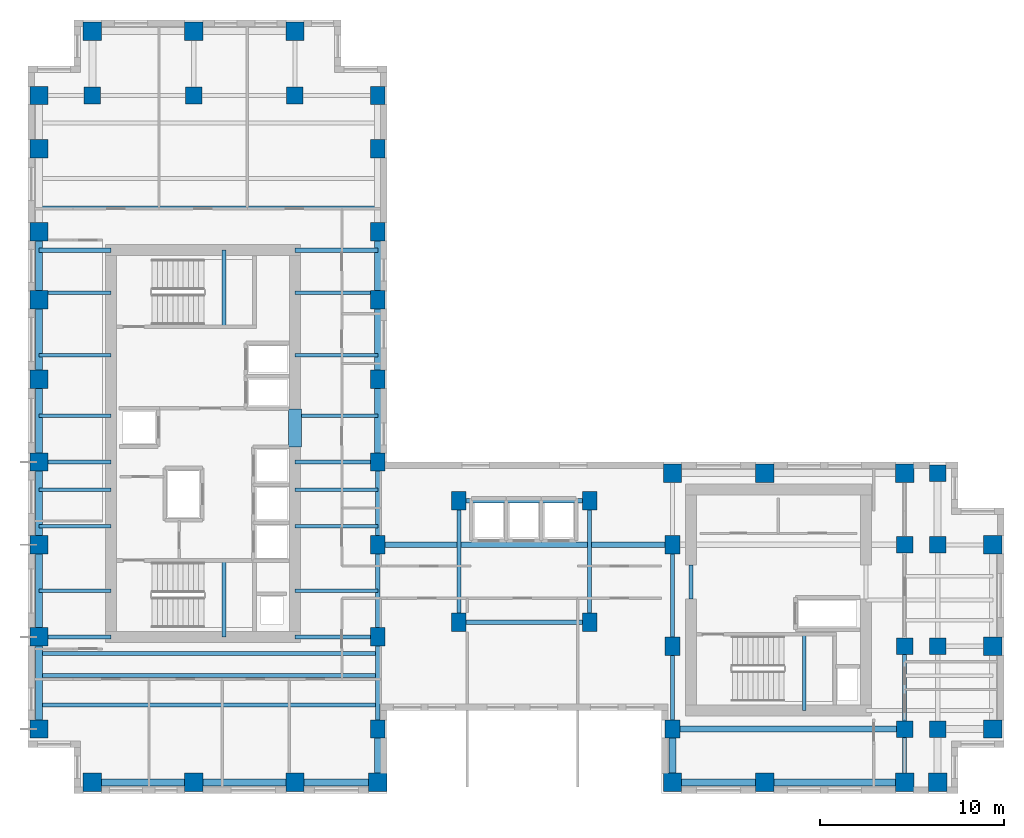
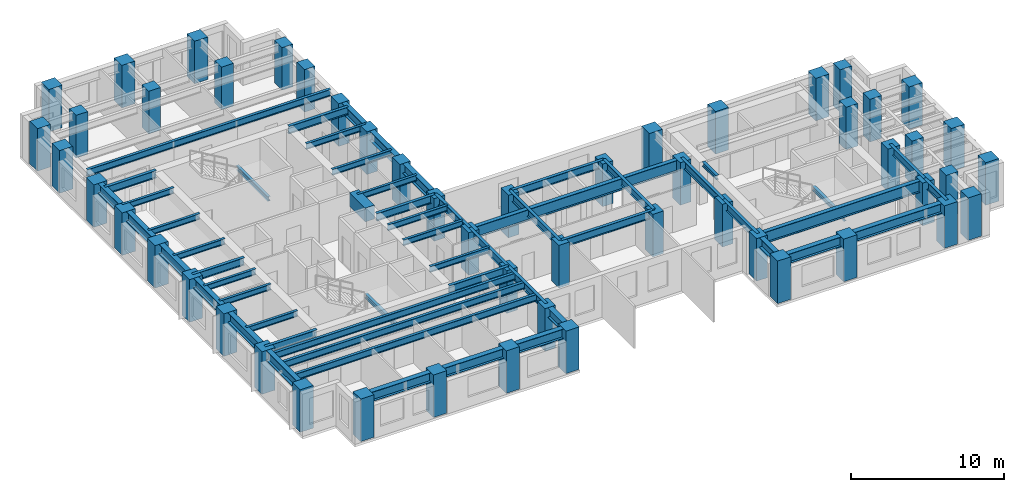
# One storey, part 1 of 11: 56 beams, 52 columns.
"""IFC4 building model written with IfcOpenShell, lengths in metres."""

from ifc_helpers import new_model, si_unit, direction, frame, origin, origin_2d, place, context, subcontext, project, spatial, rectangle, i_section, extrude, source, transform, mapped, material, material_profile, profile_set, type_object, element, save


model = new_model("IFC4")

# Units and contexts
model_context = context("Model", 3, precision=1e-05, world=origin(), true_north=direction((0.0, 1.0)))
body_context = subcontext(model_context, "Body", "Model", "MODEL_VIEW")
ifc_project = project(units=[si_unit("LENGTHUNIT", "METRE"), si_unit("AREAUNIT", "SQUARE_METRE"), si_unit("VOLUMEUNIT", "CUBIC_METRE"), si_unit("PLANEANGLEUNIT", "RADIAN"), si_unit("MASSUNIT", "GRAM", prefix="KILO")], contexts=[model_context])

# Site, building, storey
site_placement = place(None, origin())
site = spatial("IfcSite", under=ifc_project, at=site_placement, CompositionType="ELEMENT")
building_placement = place(site_placement, origin())
building = spatial("IfcBuilding", under=site, at=building_placement, Name="Kharzan Plaza Tower", CompositionType="ELEMENT")
storey_placement = place(building_placement, frame((0.0, 0.0, 150.300048828125)))
storey = spatial("IfcBuildingStorey", under=building, at=storey_placement, Name="L40", CompositionType="ELEMENT", Elevation=150.300048828125)

# Columns
ifc_material_1 = material(Name="Concrete C50/60", Category="concrete")
ifc_material_profile_1 = material_profile(ifc_material_1, rectangle(XDim=0.89990234375, YDim=0.89990234375, at=origin_2d()), Name="RC-IC900x900")
ifc_profile_set_1 = profile_set([ifc_material_profile_1], Name="Concrete C50/60")
column_type_1 = type_object("IfcColumnType", Name="COL-IC900", PredefinedType="COLUMN", material=ifc_profile_set_1)
shared_shape_1 = source(origin(), body_context, "Body", "SweptSolid", [
    extrude(rectangle(XDim=0.89990234375, YDim=0.89990234375, at=origin_2d()), origin(), (0.0, 0.0, 1.0), 3.39990234375),
])
for number, where, z_axis, x_axis, name in (
    (1, (47.60009765625, 13.5, 0.0), (0.0, 0.0, 1.0), (1.0, 0.0, 0.0), "L40 Structural Column TCBI-135"),
    (2, (47.60009765625, 3.5, 0.0), (0.0, 0.0, 1.0), (1.0, 0.0, 0.0), "L40 Structural Column TCBI-35"),
    (3, (47.60009765625, 8.0, 0.0), (0.0, 0.0, 1.0), (1.0, 0.0, 0.0), "L40 Structural Column TCBI-80"),
    (4, (49.39990234375, 13.5, 0.0), (0.0, 0.0, 1.0), (1.0, 0.0, 0.0), "L40 Structural Column TCE-494-135"),
    (5, (49.39990234375, 17.39990234375, 0.0), (0.0, 0.0, 1.0), (1.0, 0.0, 0.0), "L40 Structural Column TCE-494-174"),
    (6, (49.39990234375, 3.5, 0.0), (0.0, 0.0, 1.0), (1.0, 0.0, 0.0), "L40 Structural Column TCE-494-35"),
    (7, (49.39990234375, 8.0, 0.0), (0.0, 0.0, 1.0), (1.0, 0.0, 0.0), "L40 Structural Column TCE-494-80"),
    (8, (14.5, 37.89990234375, 0.0), (0.0, 0.0, 1.0), (1.0, 0.0, 0.0), "L40 Structural Column TCN-145-379"),
    (9, (3.5, 37.89990234375, 0.0), (0.0, 0.0, 1.0), (1.0, 0.0, 0.0), "L40 Structural Column TCN-35-379"),
    (10, (9.0, 37.89990234375, 0.0), (0.0, 0.0, 1.0), (1.0, 0.0, 0.0), "L40 Structural Column TCN-90-379"),
):
    element("IfcColumn", number, at=place(storey_placement, frame(where, z_axis=z_axis, x_axis=x_axis)), inside=storey, type_object=column_type_1, Name=name, PredefinedType="COLUMN", context=body_context, shape_type="MappedRepresentation", body=[
        mapped(shared_shape_1, transform((0.0, 0.0, 0.0), x_axis=(1.0, 0.0, 0.0), y_axis=(0.0, 1.0, 0.0), z_axis=(0.0, 0.0, 1.0))),
    ])
ifc_material_profile_2 = material_profile(ifc_material_1, rectangle(XDim=0.800048828125, YDim=1.0, at=origin_2d()), Name="RC-SC1000x800")
ifc_profile_set_2 = profile_set([ifc_material_profile_2], Name="Concrete C50/60")
column_type_2 = type_object("IfcColumnType", Name="COL-SC1000", PredefinedType="COLUMN", material=ifc_profile_set_2)
shared_shape_2 = source(origin(), body_context, "Body", "SweptSolid", [
    extrude(rectangle(XDim=0.800048828125, YDim=1.0, at=origin_2d()), origin(), (0.0, 0.0, 1.0), 3.39990234375),
])
for number, where, z_axis, x_axis, name in (
    (11, (19.0, 13.5, 0.0), (0.0, 0.0, 1.0), (1.0, 0.0, 0.0), "L40 Structural Column TCA-135"),
    (12, (19.0, 18.0, 0.0), (0.0, 0.0, 1.0), (1.0, 0.0, 0.0), "L40 Structural Column TCA-180"),
    (13, (19.0, 22.5, 0.0), (0.0, 0.0, 1.0), (1.0, 0.0, 0.0), "L40 Structural Column TCA-225"),
    (14, (19.0, 26.800048828125, 0.0), (0.0, 0.0, 1.0), (1.0, 0.0, 0.0), "L40 Structural Column TCA-268"),
    (15, (19.0, 30.5, 0.0), (0.0, 0.0, 1.0), (1.0, 0.0, 0.0), "L40 Structural Column TCA-305"),
    (16, (19.0, 3.5, 0.0), (0.0, 0.0, 1.0), (1.0, 0.0, 0.0), "L40 Structural Column TCA-35"),
    (17, (19.0, 35.0, 0.0), (0.0, 0.0, 1.0), (1.0, 0.0, 0.0), "L40 Structural Column TCA-350"),
    (18, (19.0, 37.89990234375, 0.0), (0.0, 0.0, 1.0), (1.0, 0.0, 0.0), "L40 Structural Column TCA-379"),
    (19, (19.0, 8.5, 0.0), (0.0, 0.0, 1.0), (1.0, 0.0, 0.0), "L40 Structural Column TCA-85"),
    (20, (35.0, 13.5, 0.0), (0.0, 0.0, 1.0), (1.0, 0.0, 0.0), "L40 Structural Column TCBS-135"),
    (21, (35.0, 3.5, 0.0), (0.0, 0.0, 1.0), (1.0, 0.0, 0.0), "L40 Structural Column TCBS-35"),
    (22, (35.0, 8.0, 0.0), (0.0, 0.0, 1.0), (1.0, 0.0, 0.0), "L40 Structural Column TCBS-80"),
    (23, (23.39990234375, 15.89990234375, 0.0), (0.0, 0.0, 1.0), (1.0, 0.0, 0.0), "L40 Structural Column TCSP-234-159"),
    (24, (23.39990234375, 9.300048828125, 0.0), (0.0, 0.0, 1.0), (1.0, 0.0, 0.0), "L40 Structural Column TCSP-234-93"),
    (25, (30.5, 15.89990234375, 0.0), (0.0, 0.0, 1.0), (1.0, 0.0, 0.0), "L40 Structural Column TCSP-305-159"),
    (26, (30.5, 9.300048828125, 0.0), (0.0, 0.0, 1.0), (1.0, 0.0, 0.0), "L40 Structural Column TCSP-305-93"),
):
    element("IfcColumn", number, at=place(storey_placement, frame(where, z_axis=z_axis, x_axis=x_axis)), inside=storey, type_object=column_type_2, Name=name, PredefinedType="COLUMN", context=body_context, shape_type="MappedRepresentation", body=[
        mapped(shared_shape_2, transform((0.0, 0.0, 0.0), x_axis=(1.0, 0.0, 0.0), y_axis=(0.0, 1.0, 0.0), z_axis=(0.0, 0.0, 1.0))),
    ])
ifc_material_profile_3 = material_profile(ifc_material_1, rectangle(XDim=1.0, YDim=1.0, at=origin_2d()), Name="RC-TC1000x1000")
ifc_profile_set_3 = profile_set([ifc_material_profile_3], Name="Concrete C50/60")
column_type_3 = type_object("IfcColumnType", Name="COL-TC1000", PredefinedType="COLUMN", material=ifc_profile_set_3)
shared_shape_3 = source(origin(), body_context, "Body", "SweptSolid", [
    extrude(rectangle(XDim=1.0, YDim=1.0, at=origin_2d()), origin(), (0.0, 0.0, 1.0), 3.39990234375),
])
for number, where, z_axis, x_axis, name in (
    (27, (35.0, 17.39990234375, 0.0), (0.0, 0.0, 1.0), (1.0, 0.0, 0.0), "L40 Structural Column TCBN-350-174"),
    (28, (40.0, 17.39990234375, 0.0), (0.0, 0.0, 1.0), (1.0, 0.0, 0.0), "L40 Structural Column TCBN-400-174"),
    (29, (47.60009765625, 17.39990234375, 0.0), (0.0, 0.0, 1.0), (1.0, 0.0, 0.0), "L40 Structural Column TCBN-476-174"),
    (30, (52.39990234375, 13.5, 0.0), (0.0, 0.0, 1.0), (1.0, 0.0, 0.0), "L40 Structural Column TCE-524-135"),
    (31, (52.39990234375, 3.5, 0.0), (0.0, 0.0, 1.0), (1.0, 0.0, 0.0), "L40 Structural Column TCE-524-35"),
    (32, (52.39990234375, 8.0, 0.0), (0.0, 0.0, 1.0), (1.0, 0.0, 0.0), "L40 Structural Column TCE-524-80"),
    (33, (14.5, 41.39990234375, 0.0), (0.0, 0.0, 1.0), (1.0, 0.0, 0.0), "L40 Structural Column TCN-145-414"),
    (34, (3.5, 41.39990234375, 0.0), (0.0, 0.0, 1.0), (1.0, 0.0, 0.0), "L40 Structural Column TCN-35-414"),
    (35, (9.0, 41.39990234375, 0.0), (0.0, 0.0, 1.0), (1.0, 0.0, 0.0), "L40 Structural Column TCN-90-414"),
    (36, (14.5, 0.60009765625, 0.0), (0.0, 0.0, 1.0), (1.0, 0.0, 0.0), "L40 Structural Column TCS-145"),
    (37, (19.0, 0.60009765625, 0.0), (0.0, 0.0, 1.0), (1.0, 0.0, 0.0), "L40 Structural Column TCS-190"),
    (38, (3.5, 0.60009765625, 0.0), (0.0, 0.0, 1.0), (1.0, 0.0, 0.0), "L40 Structural Column TCS-35"),
    (39, (35.0, 0.60009765625, 0.0), (0.0, 0.0, 1.0), (1.0, 0.0, 0.0), "L40 Structural Column TCS-350"),
    (40, (40.0, 0.60009765625, 0.0), (0.0, 0.0, 1.0), (1.0, 0.0, 0.0), "L40 Structural Column TCS-400"),
    (41, (47.60009765625, 0.60009765625, 0.0), (0.0, 0.0, 1.0), (1.0, 0.0, 0.0), "L40 Structural Column TCS-476"),
    (42, (49.39990234375, 0.60009765625, 0.0), (0.0, 0.0, 1.0), (1.0, 0.0, 0.0), "L40 Structural Column TCS-494"),
    (43, (9.0, 0.60009765625, 0.0), (0.0, 0.0, 1.0), (1.0, 0.0, 0.0), "L40 Structural Column TCS-90"),
    (44, (0.60009765625, 13.5, 0.0), (0.0, 0.0, 1.0), (1.0, 0.0, 0.0), "L40 Structural Column TCW-135"),
    (45, (0.60009765625, 18.0, 0.0), (0.0, 0.0, 1.0), (1.0, 0.0, 0.0), "L40 Structural Column TCW-180"),
    (46, (0.60009765625, 22.5, 0.0), (0.0, 0.0, 1.0), (1.0, 0.0, 0.0), "L40 Structural Column TCW-225"),
    (47, (0.60009765625, 26.800048828125, 0.0), (0.0, 0.0, 1.0), (1.0, 0.0, 0.0), "L40 Structural Column TCW-268"),
    (48, (0.60009765625, 30.5, 0.0), (0.0, 0.0, 1.0), (1.0, 0.0, 0.0), "L40 Structural Column TCW-305"),
    (49, (0.60009765625, 3.5, 0.0), (0.0, 0.0, 1.0), (1.0, 0.0, 0.0), "L40 Structural Column TCW-35"),
    (50, (0.60009765625, 35.0, 0.0), (0.0, 0.0, 1.0), (1.0, 0.0, 0.0), "L40 Structural Column TCW-350"),
    (51, (0.60009765625, 37.89990234375, 0.0), (0.0, 0.0, 1.0), (1.0, 0.0, 0.0), "L40 Structural Column TCW-379"),
    (52, (0.60009765625, 8.5, 0.0), (0.0, 0.0, 1.0), (1.0, 0.0, 0.0), "L40 Structural Column TCW-85"),
):
    element("IfcColumn", number, at=place(storey_placement, frame(where, z_axis=z_axis, x_axis=x_axis)), inside=storey, type_object=column_type_3, Name=name, PredefinedType="COLUMN", context=body_context, shape_type="MappedRepresentation", body=[
        mapped(shared_shape_3, transform((0.0, 0.0, 0.0), x_axis=(1.0, 0.0, 0.0), y_axis=(0.0, 1.0, 0.0), z_axis=(0.0, 0.0, 1.0))),
    ])

# Beams
ifc_material_2 = material(Name="Concrete C60/75", Category="concrete")
ifc_material_profile_4 = material_profile(ifc_material_2, rectangle(XDim=0.699951171875, YDim=1.10009765625, at=origin_2d()), Name="RC-CB1100x700")
ifc_profile_set_4 = profile_set([ifc_material_profile_4], Name="Concrete C60/75")
beam_type_1 = type_object("IfcBeamType", Name="BM-RCCB1100", PredefinedType="LINTEL", material=ifc_profile_set_4)
shared_shape_4 = source(origin(), body_context, "Body", "SweptSolid", [
    extrude(rectangle(XDim=0.699951171875, YDim=1.10009765625, at=origin_2d()), origin(), (0.0, 0.0, 1.0), 2.059814453125),
])
beam_1_placement = place(storey_placement, frame((14.5, 18.820068359375, 2.849853515625), z_axis=(0.0, 1.0, 0.0), x_axis=(-1.0, 0.0, 0.0)))
element("IfcBeam", 53, at=beam_1_placement, inside=storey, type_object=beam_type_1, Name="L40 CORE-A RC coupling beam CB1", PredefinedType="LINTEL", context=body_context, shape_type="MappedRepresentation", body=[
    mapped(shared_shape_4, transform((0.0, 0.0, 0.0), x_axis=(1.0, 0.0, 0.0), y_axis=(0.0, 1.0, 0.0), z_axis=(0.0, 0.0, 1.0))),
])
ifc_material_3 = material(Name="Steel S355", Category="steel")
ifc_material_profile_5 = material_profile(ifc_material_3, i_section(OverallWidth=0.205078125, OverallDepth=0.35400390625, WebThickness=0.009521484375, FlangeThickness=0.016845703125, at=origin_2d()), Name="W360x79")
ifc_profile_set_5 = profile_set([ifc_material_profile_5], Name="Steel S355")
beam_type_2 = type_object("IfcBeamType", Name="BM-LNT360", PredefinedType="LINTEL", material=ifc_profile_set_5)
shared_shape_5 = source(origin(), body_context, "Body", "SweptSolid", [
    extrude(i_section(OverallWidth=0.205078125, OverallDepth=0.35400390625, WebThickness=0.009521484375, FlangeThickness=0.016845703125, at=origin_2d()), origin(), (0.0, 0.0, 1.0), 1.849853515625),
])
beam_2_placement = place(storey_placement, frame((36.0, 10.550048828125, 3.222900390625), z_axis=(0.0, 1.0, 0.0), x_axis=(-1.0, 0.0, 0.0)))
element("IfcBeam", 54, at=beam_2_placement, inside=storey, type_object=beam_type_2, Name="L40 CORE-B coupling lintel LN1-WW", PredefinedType="LINTEL", context=body_context, shape_type="MappedRepresentation", body=[
    mapped(shared_shape_5, transform((0.0, 0.0, 0.0), x_axis=(1.0, 0.0, 0.0), y_axis=(0.0, 1.0, 0.0), z_axis=(0.0, 0.0, 1.0))),
])
shared_shape_6 = source(origin(), body_context, "Body", "SweptSolid", [
    extrude(i_section(OverallWidth=0.205078125, OverallDepth=0.35400390625, WebThickness=0.009521484375, FlangeThickness=0.016845703125, at=origin_2d()), origin(), (0.0, 0.0, 1.0), 4.155029296875),
])
for number, where, z_axis, x_axis, name in (
    (55, (10.64990234375, 8.5, 1.4228515625), (0.0, 1.0, 0.0), (-1.0, 0.0, 0.0), "L40 Stair ST-1 Half-Landing Beam"),
    (56, (10.64990234375, 25.344970703125, 1.4228515625), (0.0, 1.0, 0.0), (-1.0, 0.0, 0.0), "L40 Stair ST-2 Half-Landing Beam"),
    (57, (42.14990234375, 4.5, 1.4228515625), (0.0, 1.0, 0.0), (-1.0, 0.0, 0.0), "L40 Stair ST-3 Half-Landing Beam"),
):
    element("IfcBeam", number, at=place(storey_placement, frame(where, z_axis=z_axis, x_axis=x_axis)), inside=storey, type_object=beam_type_2, Name=name, PredefinedType="LINTEL", context=body_context, shape_type="MappedRepresentation", body=[
        mapped(shared_shape_6, transform((0.0, 0.0, 0.0), x_axis=(1.0, 0.0, 0.0), y_axis=(0.0, 1.0, 0.0), z_axis=(0.0, 0.0, 1.0))),
    ])
ifc_material_profile_6 = material_profile(ifc_material_3, i_section(OverallWidth=0.304931640625, OverallDepth=0.9189453125, WebThickness=0.017333984375, FlangeThickness=0.02783203125, at=origin_2d()), Name="W920x253")
ifc_profile_set_6 = profile_set([ifc_material_profile_6], Name="Steel S355")
beam_type_3 = type_object("IfcBeamType", Name="BM-FG920B", PredefinedType="BEAM", material=ifc_profile_set_6)
shared_shape_7 = source(origin(), body_context, "Body", "SweptSolid", [
    extrude(i_section(OverallWidth=0.304931640625, OverallDepth=0.9189453125, WebThickness=0.017333984375, FlangeThickness=0.02783203125, at=origin_2d()), origin(), (0.0, 0.0, 1.0), 12.60009765625),
])
beam_3_placement = place(storey_placement, frame((35.0, 3.5, 2.9404296875), z_axis=(1.0, 0.0, 0.0), x_axis=(0.0, 1.0, 0.0)))
element("IfcBeam", 58, at=beam_3_placement, inside=storey, type_object=beam_type_3, Name="L40 Primary Floor Girder", PredefinedType="BEAM", context=body_context, shape_type="MappedRepresentation", body=[
    mapped(shared_shape_7, transform((0.0, 0.0, 0.0), x_axis=(1.0, 0.0, 0.0), y_axis=(0.0, 1.0, 0.0), z_axis=(0.0, 0.0, 1.0))),
])
shared_shape_8 = source(origin(), body_context, "Body", "SweptSolid", [
    extrude(i_section(OverallWidth=0.304931640625, OverallDepth=0.9189453125, WebThickness=0.017333984375, FlangeThickness=0.02783203125, at=origin_2d()), origin(), (0.0, 0.0, 1.0), 16.0),
])
beam_4_placement = place(storey_placement, frame((19.0, 13.5, 2.9404296875), z_axis=(1.0, 0.0, 0.0), x_axis=(0.0, 1.0, 0.0)))
element("IfcBeam", 59, at=beam_4_placement, inside=storey, type_object=beam_type_3, Name="L40 Primary Floor Girder", PredefinedType="BEAM", context=body_context, shape_type="MappedRepresentation", body=[
    mapped(shared_shape_8, transform((0.0, 0.0, 0.0), x_axis=(1.0, 0.0, 0.0), y_axis=(0.0, 1.0, 0.0), z_axis=(0.0, 0.0, 1.0))),
])
ifc_material_profile_7 = material_profile(ifc_material_3, i_section(OverallWidth=0.2099609375, OverallDepth=0.537109375, WebThickness=0.010986328125, FlangeThickness=0.017333984375, at=origin_2d()), Name="W530x101")
ifc_profile_set_7 = profile_set([ifc_material_profile_7], Name="Steel S355")
beam_type_4 = type_object("IfcBeamType", Name="BM-JST530B", PredefinedType="JOIST", material=ifc_profile_set_7)
shared_shape_9 = source(origin(), body_context, "Body", "SweptSolid", [
    extrude(i_section(OverallWidth=0.2099609375, OverallDepth=0.537109375, WebThickness=0.010986328125, FlangeThickness=0.017333984375, at=origin_2d()), origin(), (0.0, 0.0, 1.0), 18.39990234375),
])
for number, where, z_axis, x_axis, name in (
    (60, (0.60009765625, 4.800048828125, 3.13134765625), (1.0, 0.0, 0.0), (0.0, 1.0, 0.0), "L40 Wing A Composite Joist 01"),
    (61, (0.60009765625, 6.39990234375, 3.13134765625), (1.0, 0.0, 0.0), (0.0, 1.0, 0.0), "L40 Wing A Composite Joist 02"),
    (62, (0.60009765625, 7.60009765625, 3.13134765625), (1.0, 0.0, 0.0), (0.0, 1.0, 0.0), "L40 Wing A Composite Joist 03"),
    (63, (0.60009765625, 31.800048828125, 3.13134765625), (1.0, 0.0, 0.0), (0.0, 1.0, 0.0), "L40 Wing A Composite Joist 04"),
):
    element("IfcBeam", number, at=place(storey_placement, frame(where, z_axis=z_axis, x_axis=x_axis)), inside=storey, type_object=beam_type_4, Name=name, PredefinedType="JOIST", context=body_context, shape_type="MappedRepresentation", body=[
        mapped(shared_shape_9, transform((0.0, 0.0, 0.0), x_axis=(1.0, 0.0, 0.0), y_axis=(0.0, 1.0, 0.0), z_axis=(0.0, 0.0, 1.0))),
    ])
ifc_material_profile_8 = material_profile(ifc_material_3, i_section(OverallWidth=0.194091796875, OverallDepth=0.468994140625, WebThickness=0.011474609375, FlangeThickness=0.0205078125, at=origin_2d()), Name="W460x106")
ifc_profile_set_8 = profile_set([ifc_material_profile_8], Name="Steel S355")
beam_type_5 = type_object("IfcBeamType", Name="BM-JST460", PredefinedType="JOIST", material=ifc_profile_set_8)
shared_shape_10 = source(origin(), body_context, "Body", "SweptSolid", [
    extrude(i_section(OverallWidth=0.194091796875, OverallDepth=0.468994140625, WebThickness=0.011474609375, FlangeThickness=0.0205078125, at=origin_2d()), origin(), (0.0, 0.0, 1.0), 4.5),
])
for number, where, z_axis, x_axis, name in (
    (64, (14.5, 11.0, 3.16552734375), (1.0, 0.0, 0.0), (0.0, 1.0, 0.0), "L40 Wing A East Infill Joist 1"),
    (65, (14.5, 14.5, 3.16552734375), (1.0, 0.0, 0.0), (0.0, 1.0, 0.0), "L40 Wing A East Infill Joist 2"),
    (66, (14.5, 16.5, 3.16552734375), (1.0, 0.0, 0.0), (0.0, 1.0, 0.0), "L40 Wing A East Infill Joist 3"),
    (67, (14.5, 20.5, 3.16552734375), (1.0, 0.0, 0.0), (0.0, 1.0, 0.0), "L40 Wing A East Infill Joist 4"),
    (68, (14.5, 23.800048828125, 3.16552734375), (1.0, 0.0, 0.0), (0.0, 1.0, 0.0), "L40 Wing A East Infill Joist 5"),
    (69, (14.5, 27.199951171875, 3.16552734375), (1.0, 0.0, 0.0), (0.0, 1.0, 0.0), "L40 Wing A East Infill Joist 6"),
):
    element("IfcBeam", number, at=place(storey_placement, frame(where, z_axis=z_axis, x_axis=x_axis)), inside=storey, type_object=beam_type_5, Name=name, PredefinedType="JOIST", context=body_context, shape_type="MappedRepresentation", body=[
        mapped(shared_shape_10, transform((0.0, 0.0, 0.0), x_axis=(1.0, 0.0, 0.0), y_axis=(0.0, 1.0, 0.0), z_axis=(0.0, 0.0, 1.0))),
    ])
shared_shape_11 = source(origin(), body_context, "Body", "SweptSolid", [
    extrude(i_section(OverallWidth=0.194091796875, OverallDepth=0.468994140625, WebThickness=0.011474609375, FlangeThickness=0.0205078125, at=origin_2d()), origin(), (0.0, 0.0, 1.0), 3.89990234375),
])
for number, where, z_axis, x_axis, name in (
    (70, (0.60009765625, 11.0, 3.16552734375), (1.0, 0.0, 0.0), (0.0, 1.0, 0.0), "L40 Wing A West Infill Joist 1"),
    (71, (0.60009765625, 14.5, 3.16552734375), (1.0, 0.0, 0.0), (0.0, 1.0, 0.0), "L40 Wing A West Infill Joist 2"),
    (72, (0.60009765625, 16.5, 3.16552734375), (1.0, 0.0, 0.0), (0.0, 1.0, 0.0), "L40 Wing A West Infill Joist 3"),
    (73, (0.60009765625, 20.5, 3.16552734375), (1.0, 0.0, 0.0), (0.0, 1.0, 0.0), "L40 Wing A West Infill Joist 4"),
    (74, (0.60009765625, 23.800048828125, 3.16552734375), (1.0, 0.0, 0.0), (0.0, 1.0, 0.0), "L40 Wing A West Infill Joist 5"),
    (75, (0.60009765625, 27.199951171875, 3.16552734375), (1.0, 0.0, 0.0), (0.0, 1.0, 0.0), "L40 Wing A West Infill Joist 6"),
):
    element("IfcBeam", number, at=place(storey_placement, frame(where, z_axis=z_axis, x_axis=x_axis)), inside=storey, type_object=beam_type_5, Name=name, PredefinedType="JOIST", context=body_context, shape_type="MappedRepresentation", body=[
        mapped(shared_shape_11, transform((0.0, 0.0, 0.0), x_axis=(1.0, 0.0, 0.0), y_axis=(0.0, 1.0, 0.0), z_axis=(0.0, 0.0, 1.0))),
    ])
ifc_material_profile_9 = material_profile(ifc_material_3, i_section(OverallWidth=0.22900390625, OverallDepth=0.612060546875, WebThickness=0.011962890625, FlangeThickness=0.01953125, at=origin_2d()), Name="W610x125")
ifc_profile_set_9 = profile_set([ifc_material_profile_9], Name="Steel S355")
beam_type_6 = type_object("IfcBeamType", Name="BM-FG610B", PredefinedType="BEAM", material=ifc_profile_set_9)
shared_shape_12 = source(origin(), body_context, "Body", "SweptSolid", [
    extrude(i_section(OverallWidth=0.22900390625, OverallDepth=0.612060546875, WebThickness=0.011962890625, FlangeThickness=0.01953125, at=origin_2d()), origin(), (0.0, 0.0, 1.0), 4.5),
])
for number, where, z_axis, x_axis, name in (
    (76, (14.5, 8.5, 3.093994140625), (1.0, 0.0, 0.0), (0.0, 1.0, 0.0), "L40 Core-A East Floor Girder 1"),
    (77, (14.5, 18.0, 3.093994140625), (1.0, 0.0, 0.0), (0.0, 1.0, 0.0), "L40 Core-A East Floor Girder 2"),
    (78, (14.5, 29.5, 3.093994140625), (1.0, 0.0, 0.0), (0.0, 1.0, 0.0), "L40 Core-A East Floor Girder 3"),
    (79, (19.0, 13.5, 3.093994140625), (0.0, 1.0, 0.0), (-1.0, 0.0, 0.0), "L40 Interior Frame Girder"),
    (80, (35.0, 3.5, 3.093994140625), (0.0, 1.0, 0.0), (-1.0, 0.0, 0.0), "L40 Interior Frame Girder"),
    (81, (47.60009765625, 3.5, 3.093994140625), (0.0, 1.0, 0.0), (-1.0, 0.0, 0.0), "L40 Interior Frame Girder"),
):
    element("IfcBeam", number, at=place(storey_placement, frame(where, z_axis=z_axis, x_axis=x_axis)), inside=storey, type_object=beam_type_6, Name=name, PredefinedType="BEAM", context=body_context, shape_type="MappedRepresentation", body=[
        mapped(shared_shape_12, transform((0.0, 0.0, 0.0), x_axis=(1.0, 0.0, 0.0), y_axis=(0.0, 1.0, 0.0), z_axis=(0.0, 0.0, 1.0))),
    ])
shared_shape_13 = source(origin(), body_context, "Body", "SweptSolid", [
    extrude(i_section(OverallWidth=0.22900390625, OverallDepth=0.612060546875, WebThickness=0.011962890625, FlangeThickness=0.01953125, at=origin_2d()), origin(), (0.0, 0.0, 1.0), 3.89990234375),
])
for number, where, z_axis, x_axis, name in (
    (82, (0.60009765625, 8.5, 3.093994140625), (1.0, 0.0, 0.0), (0.0, 1.0, 0.0), "L40 Core-A West Floor Girder 1"),
    (83, (0.60009765625, 18.0, 3.093994140625), (1.0, 0.0, 0.0), (0.0, 1.0, 0.0), "L40 Core-A West Floor Girder 2"),
    (84, (0.60009765625, 29.5, 3.093994140625), (1.0, 0.0, 0.0), (0.0, 1.0, 0.0), "L40 Core-A West Floor Girder 3"),
):
    element("IfcBeam", number, at=place(storey_placement, frame(where, z_axis=z_axis, x_axis=x_axis)), inside=storey, type_object=beam_type_6, Name=name, PredefinedType="BEAM", context=body_context, shape_type="MappedRepresentation", body=[
        mapped(shared_shape_13, transform((0.0, 0.0, 0.0), x_axis=(1.0, 0.0, 0.0), y_axis=(0.0, 1.0, 0.0), z_axis=(0.0, 0.0, 1.0))),
    ])
shared_shape_14 = source(origin(), body_context, "Body", "SweptSolid", [
    extrude(i_section(OverallWidth=0.22900390625, OverallDepth=0.612060546875, WebThickness=0.011962890625, FlangeThickness=0.01953125, at=origin_2d()), origin(), (0.0, 0.0, 1.0), 5.0),
])
for number, where, z_axis, x_axis, name in (
    (85, (19.0, 3.5, 3.093994140625), (0.0, 1.0, 0.0), (-1.0, 0.0, 0.0), "L40 Interior Frame Girder"),
    (86, (19.0, 8.5, 3.093994140625), (0.0, 1.0, 0.0), (-1.0, 0.0, 0.0), "L40 Interior Frame Girder"),
):
    element("IfcBeam", number, at=place(storey_placement, frame(where, z_axis=z_axis, x_axis=x_axis)), inside=storey, type_object=beam_type_6, Name=name, PredefinedType="BEAM", context=body_context, shape_type="MappedRepresentation", body=[
        mapped(shared_shape_14, transform((0.0, 0.0, 0.0), x_axis=(1.0, 0.0, 0.0), y_axis=(0.0, 1.0, 0.0), z_axis=(0.0, 0.0, 1.0))),
    ])
shared_shape_15 = source(origin(), body_context, "Body", "SweptSolid", [
    extrude(i_section(OverallWidth=0.22900390625, OverallDepth=0.612060546875, WebThickness=0.011962890625, FlangeThickness=0.01953125, at=origin_2d()), origin(), (0.0, 0.0, 1.0), 6.599853515625),
])
for number, where, z_axis, x_axis, name in (
    (87, (23.39990234375, 9.300048828125, 3.093994140625), (0.0, 1.0, 0.0), (-1.0, 0.0, 0.0), "L40 Interior Frame Girder"),
    (88, (30.5, 9.300048828125, 3.093994140625), (0.0, 1.0, 0.0), (-1.0, 0.0, 0.0), "L40 Interior Frame Girder"),
):
    element("IfcBeam", number, at=place(storey_placement, frame(where, z_axis=z_axis, x_axis=x_axis)), inside=storey, type_object=beam_type_6, Name=name, PredefinedType="BEAM", context=body_context, shape_type="MappedRepresentation", body=[
        mapped(shared_shape_15, transform((0.0, 0.0, 0.0), x_axis=(1.0, 0.0, 0.0), y_axis=(0.0, 1.0, 0.0), z_axis=(0.0, 0.0, 1.0))),
    ])
shared_shape_16 = source(origin(), body_context, "Body", "SweptSolid", [
    extrude(i_section(OverallWidth=0.22900390625, OverallDepth=0.612060546875, WebThickness=0.011962890625, FlangeThickness=0.01953125, at=origin_2d()), origin(), (0.0, 0.0, 1.0), 5.5),
])
beam_5_placement = place(storey_placement, frame((35.0, 8.0, 3.093994140625), z_axis=(0.0, 1.0, 0.0), x_axis=(-1.0, 0.0, 0.0)))
element("IfcBeam", 89, at=beam_5_placement, inside=storey, type_object=beam_type_6, Name="L40 Interior Frame Girder", PredefinedType="BEAM", context=body_context, shape_type="MappedRepresentation", body=[
    mapped(shared_shape_16, transform((0.0, 0.0, 0.0), x_axis=(1.0, 0.0, 0.0), y_axis=(0.0, 1.0, 0.0), z_axis=(0.0, 0.0, 1.0))),
])
shared_shape_17 = source(origin(), body_context, "Body", "SweptSolid", [
    extrude(i_section(OverallWidth=0.22900390625, OverallDepth=0.612060546875, WebThickness=0.011962890625, FlangeThickness=0.01953125, at=origin_2d()), origin(), (0.0, 0.0, 1.0), 2.89990234375),
])
beam_6_placement = place(storey_placement, frame((47.60009765625, 0.60009765625, 3.093994140625), z_axis=(0.0, 1.0, 0.0), x_axis=(-1.0, 0.0, 0.0)))
element("IfcBeam", 90, at=beam_6_placement, inside=storey, type_object=beam_type_6, Name="L40 Interior Frame Girder", PredefinedType="BEAM", context=body_context, shape_type="MappedRepresentation", body=[
    mapped(shared_shape_17, transform((0.0, 0.0, 0.0), x_axis=(1.0, 0.0, 0.0), y_axis=(0.0, 1.0, 0.0), z_axis=(0.0, 0.0, 1.0))),
])
shared_shape_18 = source(origin(), body_context, "Body", "SweptSolid", [
    extrude(i_section(OverallWidth=0.22900390625, OverallDepth=0.612060546875, WebThickness=0.011962890625, FlangeThickness=0.01953125, at=origin_2d()), origin(), (0.0, 0.0, 1.0), 7.10009765625),
])
for number, where, z_axis, x_axis, name in (
    (91, (23.39990234375, 9.300048828125, 3.093994140625), (1.0, 0.0, 0.0), (0.0, 1.0, 0.0), "L40 Primary Floor Girder"),
    (92, (23.39990234375, 15.89990234375, 3.093994140625), (1.0, 0.0, 0.0), (0.0, 1.0, 0.0), "L40 Primary Floor Girder"),
):
    element("IfcBeam", number, at=place(storey_placement, frame(where, z_axis=z_axis, x_axis=x_axis)), inside=storey, type_object=beam_type_6, Name=name, PredefinedType="BEAM", context=body_context, shape_type="MappedRepresentation", body=[
        mapped(shared_shape_18, transform((0.0, 0.0, 0.0), x_axis=(1.0, 0.0, 0.0), y_axis=(0.0, 1.0, 0.0), z_axis=(0.0, 0.0, 1.0))),
    ])
ifc_material_profile_10 = material_profile(ifc_material_3, i_section(OverallWidth=0.381103515625, OverallDepth=0.77294921875, WebThickness=0.0166015625, FlangeThickness=0.027587890625, at=origin_2d()), Name="W760x257")
ifc_profile_set_10 = profile_set([ifc_material_profile_10], Name="Steel S355")
beam_type_7 = type_object("IfcBeamType", Name="BM-SP760A", PredefinedType="SPANDREL", material=ifc_profile_set_10)
shared_shape_19 = source(origin(), body_context, "Body", "SweptSolid", [
    extrude(i_section(OverallWidth=0.381103515625, OverallDepth=0.77294921875, WebThickness=0.0166015625, FlangeThickness=0.027587890625, at=origin_2d()), origin(), (0.0, 0.0, 1.0), 5.0),
])
for number, where, z_axis, x_axis, name in (
    (93, (0.60009765625, 3.5, 3.013427734375), (0.0, 1.0, 0.0), (-1.0, 0.0, 0.0), "L40 Perimeter Tube Spandrel"),
    (94, (0.60009765625, 8.5, 3.013427734375), (0.0, 1.0, 0.0), (-1.0, 0.0, 0.0), "L40 Perimeter Tube Spandrel"),
    (95, (35.0, 0.60009765625, 3.013427734375), (1.0, 0.0, 0.0), (0.0, 1.0, 0.0), "L40 Perimeter Tube Spandrel"),
):
    element("IfcBeam", number, at=place(storey_placement, frame(where, z_axis=z_axis, x_axis=x_axis)), inside=storey, type_object=beam_type_7, Name=name, PredefinedType="SPANDREL", context=body_context, shape_type="MappedRepresentation", body=[
        mapped(shared_shape_19, transform((0.0, 0.0, 0.0), x_axis=(1.0, 0.0, 0.0), y_axis=(0.0, 1.0, 0.0), z_axis=(0.0, 0.0, 1.0))),
    ])
shared_shape_20 = source(origin(), body_context, "Body", "SweptSolid", [
    extrude(i_section(OverallWidth=0.381103515625, OverallDepth=0.77294921875, WebThickness=0.0166015625, FlangeThickness=0.027587890625, at=origin_2d()), origin(), (0.0, 0.0, 1.0), 4.5),
])
for number, where, z_axis, x_axis, name in (
    (96, (0.60009765625, 13.5, 3.013427734375), (0.0, 1.0, 0.0), (-1.0, 0.0, 0.0), "L40 Perimeter Tube Spandrel"),
    (97, (0.60009765625, 18.0, 3.013427734375), (0.0, 1.0, 0.0), (-1.0, 0.0, 0.0), "L40 Perimeter Tube Spandrel"),
    (98, (19.0, 18.0, 3.013427734375), (0.0, 1.0, 0.0), (-1.0, 0.0, 0.0), "L40 Perimeter Tube Spandrel"),
    (99, (14.5, 0.60009765625, 3.013427734375), (1.0, 0.0, 0.0), (0.0, 1.0, 0.0), "L40 Perimeter Tube Spandrel"),
):
    element("IfcBeam", number, at=place(storey_placement, frame(where, z_axis=z_axis, x_axis=x_axis)), inside=storey, type_object=beam_type_7, Name=name, PredefinedType="SPANDREL", context=body_context, shape_type="MappedRepresentation", body=[
        mapped(shared_shape_20, transform((0.0, 0.0, 0.0), x_axis=(1.0, 0.0, 0.0), y_axis=(0.0, 1.0, 0.0), z_axis=(0.0, 0.0, 1.0))),
    ])
shared_shape_21 = source(origin(), body_context, "Body", "SweptSolid", [
    extrude(i_section(OverallWidth=0.381103515625, OverallDepth=0.77294921875, WebThickness=0.0166015625, FlangeThickness=0.027587890625, at=origin_2d()), origin(), (0.0, 0.0, 1.0), 4.300048828125),
])
for number, where, z_axis, x_axis, name in (
    (100, (0.60009765625, 22.5, 3.013427734375), (0.0, 1.0, 0.0), (-1.0, 0.0, 0.0), "L40 Perimeter Tube Spandrel"),
    (101, (19.0, 22.5, 3.013427734375), (0.0, 1.0, 0.0), (-1.0, 0.0, 0.0), "L40 Perimeter Tube Spandrel"),
):
    element("IfcBeam", number, at=place(storey_placement, frame(where, z_axis=z_axis, x_axis=x_axis)), inside=storey, type_object=beam_type_7, Name=name, PredefinedType="SPANDREL", context=body_context, shape_type="MappedRepresentation", body=[
        mapped(shared_shape_21, transform((0.0, 0.0, 0.0), x_axis=(1.0, 0.0, 0.0), y_axis=(0.0, 1.0, 0.0), z_axis=(0.0, 0.0, 1.0))),
    ])
shared_shape_22 = source(origin(), body_context, "Body", "SweptSolid", [
    extrude(i_section(OverallWidth=0.381103515625, OverallDepth=0.77294921875, WebThickness=0.0166015625, FlangeThickness=0.027587890625, at=origin_2d()), origin(), (0.0, 0.0, 1.0), 3.699951171875),
])
for number, where, z_axis, x_axis, name in (
    (102, (0.60009765625, 26.800048828125, 3.013427734375), (0.0, 1.0, 0.0), (-1.0, 0.0, 0.0), "L40 Perimeter Tube Spandrel"),
    (103, (19.0, 26.800048828125, 3.013427734375), (0.0, 1.0, 0.0), (-1.0, 0.0, 0.0), "L40 Perimeter Tube Spandrel"),
):
    element("IfcBeam", number, at=place(storey_placement, frame(where, z_axis=z_axis, x_axis=x_axis)), inside=storey, type_object=beam_type_7, Name=name, PredefinedType="SPANDREL", context=body_context, shape_type="MappedRepresentation", body=[
        mapped(shared_shape_22, transform((0.0, 0.0, 0.0), x_axis=(1.0, 0.0, 0.0), y_axis=(0.0, 1.0, 0.0), z_axis=(0.0, 0.0, 1.0))),
    ])
shared_shape_23 = source(origin(), body_context, "Body", "SweptSolid", [
    extrude(i_section(OverallWidth=0.381103515625, OverallDepth=0.77294921875, WebThickness=0.0166015625, FlangeThickness=0.027587890625, at=origin_2d()), origin(), (0.0, 0.0, 1.0), 2.89990234375),
])
for number, where, z_axis, x_axis, name in (
    (104, (19.0, 0.60009765625, 3.013427734375), (0.0, 1.0, 0.0), (-1.0, 0.0, 0.0), "L40 Perimeter Tube Spandrel"),
    (105, (35.0, 0.60009765625, 3.013427734375), (0.0, 1.0, 0.0), (-1.0, 0.0, 0.0), "L40 Perimeter Tube Spandrel"),
):
    element("IfcBeam", number, at=place(storey_placement, frame(where, z_axis=z_axis, x_axis=x_axis)), inside=storey, type_object=beam_type_7, Name=name, PredefinedType="SPANDREL", context=body_context, shape_type="MappedRepresentation", body=[
        mapped(shared_shape_23, transform((0.0, 0.0, 0.0), x_axis=(1.0, 0.0, 0.0), y_axis=(0.0, 1.0, 0.0), z_axis=(0.0, 0.0, 1.0))),
    ])
shared_shape_24 = source(origin(), body_context, "Body", "SweptSolid", [
    extrude(i_section(OverallWidth=0.381103515625, OverallDepth=0.77294921875, WebThickness=0.0166015625, FlangeThickness=0.027587890625, at=origin_2d()), origin(), (0.0, 0.0, 1.0), 5.5),
])
for number, where, z_axis, x_axis, name in (
    (106, (3.5, 0.60009765625, 3.013427734375), (1.0, 0.0, 0.0), (0.0, 1.0, 0.0), "L40 Perimeter Tube Spandrel"),
    (107, (9.0, 0.60009765625, 3.013427734375), (1.0, 0.0, 0.0), (0.0, 1.0, 0.0), "L40 Perimeter Tube Spandrel"),
):
    element("IfcBeam", number, at=place(storey_placement, frame(where, z_axis=z_axis, x_axis=x_axis)), inside=storey, type_object=beam_type_7, Name=name, PredefinedType="SPANDREL", context=body_context, shape_type="MappedRepresentation", body=[
        mapped(shared_shape_24, transform((0.0, 0.0, 0.0), x_axis=(1.0, 0.0, 0.0), y_axis=(0.0, 1.0, 0.0), z_axis=(0.0, 0.0, 1.0))),
    ])
shared_shape_25 = source(origin(), body_context, "Body", "SweptSolid", [
    extrude(i_section(OverallWidth=0.381103515625, OverallDepth=0.77294921875, WebThickness=0.0166015625, FlangeThickness=0.027587890625, at=origin_2d()), origin(), (0.0, 0.0, 1.0), 7.60009765625),
])
beam_7_placement = place(storey_placement, frame((40.0, 0.60009765625, 3.013427734375), z_axis=(1.0, 0.0, 0.0), x_axis=(0.0, 1.0, 0.0)))
element("IfcBeam", 108, at=beam_7_placement, inside=storey, type_object=beam_type_7, Name="L40 Perimeter Tube Spandrel", PredefinedType="SPANDREL", context=body_context, shape_type="MappedRepresentation", body=[
    mapped(shared_shape_25, transform((0.0, 0.0, 0.0), x_axis=(1.0, 0.0, 0.0), y_axis=(0.0, 1.0, 0.0), z_axis=(0.0, 0.0, 1.0))),
])

save(model, "model.ifc")
